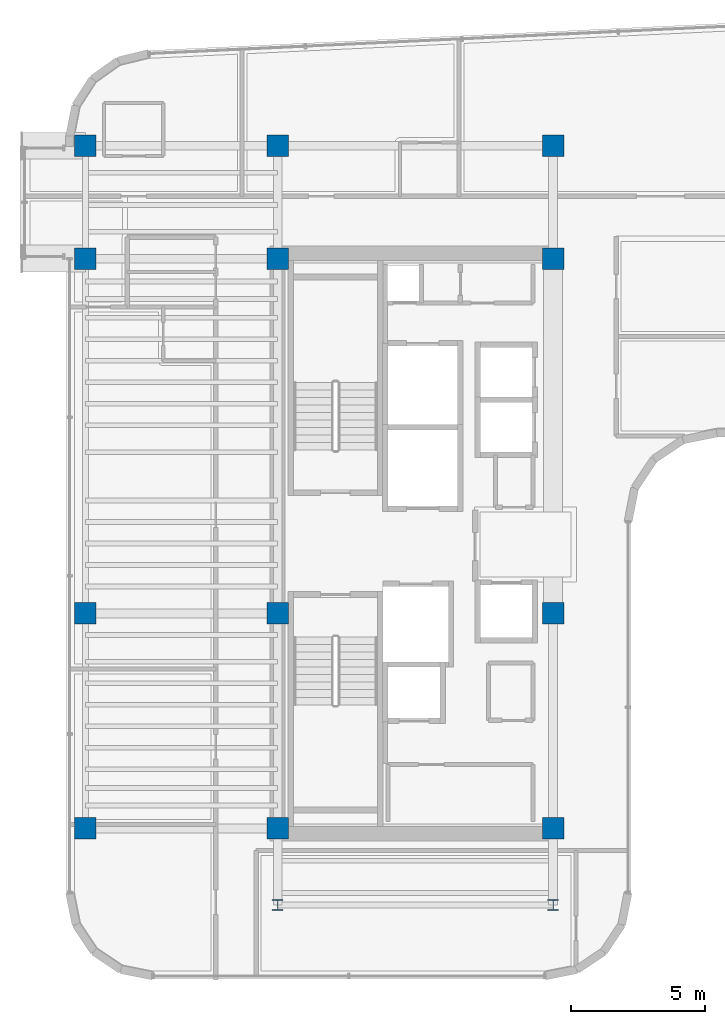
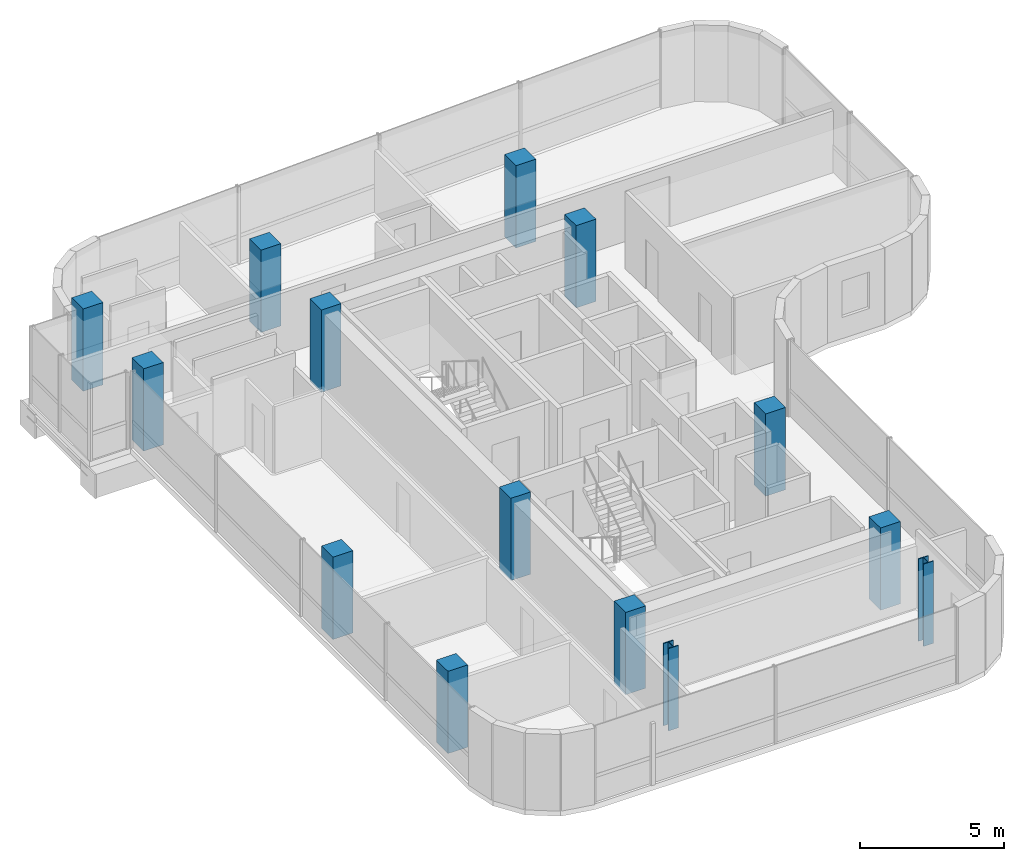
# One storey, part 1 of 20: 14 columns.
"""IFC4 building model written with IfcOpenShell, lengths in metres."""

import ifcopenshell
import ifcopenshell.guid

model = None  # the IFC model being written
_history = None  # IfcOwnerHistory: only IFC2X3 demands one
_inside = {}  # id of a spatial element -> (the spatial element, [elements in it])
_under = {}  # id of a project, library or spatial element -> (it, [spatial elements below it])
_declared = {}  # id of a project -> (the project, [libraries it declares])
_typed = {}  # id of a type object -> (the type object, [elements of that type])
_made_of = {}  # id of a material, layer set ... -> (it, [elements and type objects made of it])


def new_model(schema):
    """Start an empty IFC model of exactly this schema.

    Asked for "IFC4X3", IfcOpenShell would pick the latest addendum, in which some entities
    have other attributes; the version numbers below select the first issue.
    IFC2X3 requires an IfcOwnerHistory on every rooted entity: one is made here for all.
    """
    global model, _history
    if schema == "IFC4X3":
        model = ifcopenshell.file(schema_version=(4, 3, 0, 0))
    else:
        model = ifcopenshell.file(schema=schema)
    _inside.clear()
    _under.clear()
    _declared.clear()
    _typed.clear()
    _made_of.clear()
    _history = None
    if model.schema == "IFC2X3":
        org = make("IfcOrganization", Name="unknown")
        user = make(
            "IfcPersonAndOrganization",
            ThePerson=make("IfcPerson", FamilyName="unknown"),
            TheOrganization=org,
        )
        app = make(
            "IfcApplication",
            ApplicationDeveloper=org,
            Version="unknown",
            ApplicationFullName="unknown",
            ApplicationIdentifier="unknown",
        )
        _history = make(
            "IfcOwnerHistory",
            OwningUser=user,
            OwningApplication=app,
            ChangeAction="ADDED",
            CreationDate=0,
        )
    return model


def make(cls, **values):
    """One entity of the class cls with the attributes given. An attribute that is None is left unset."""
    return model.create_entity(
        cls, **{name: value for name, value in values.items() if value is not None}
    )


def rooted(cls, **values):
    """An entity with a GlobalId (a new one), such as an element, a storey or a relation."""
    return make(cls, GlobalId=ifcopenshell.guid.new(), OwnerHistory=_history, **values)


def si_unit(unit_type, name, prefix=None):
    """IfcSIUnit, for example si_unit("LENGTHUNIT", "METRE", prefix="MILLI")."""
    return make("IfcSIUnit", UnitType=unit_type, Prefix=prefix, Name=name)


def assignment(units):
    """IfcUnitAssignment: the units of a project."""
    return None if units is None else make("IfcUnitAssignment", Units=units)


def point(xyz):
    """IfcCartesianPoint."""
    return None if xyz is None else make("IfcCartesianPoint", Coordinates=xyz)


def direction(xyz):
    """IfcDirection."""
    return None if xyz is None else make("IfcDirection", DirectionRatios=xyz)


def frame(location, z_axis=None, x_axis=None):
    """IfcAxis2Placement3D, a coordinate frame: its origin and axes. An axis left out is left unset."""
    return make(
        "IfcAxis2Placement3D",
        Location=point(location),
        Axis=direction(z_axis),
        RefDirection=direction(x_axis),
    )


def frame_2d(location, x_axis=None):
    """IfcAxis2Placement2D, a coordinate frame in the plane: its origin and x axis."""
    return make(
        "IfcAxis2Placement2D", Location=point(location), RefDirection=direction(x_axis)
    )


def origin():
    """The frame at (0, 0, 0) with its axes left unset."""
    return frame((0.0, 0.0, 0.0))


def origin_2d():
    """The frame at (0, 0) in the plane with its x axis left unset."""
    return frame_2d((0.0, 0.0))


def place(relative_to, where):
    """IfcLocalPlacement: puts the frame where relative to a parent placement (None: the world)."""
    return make(
        "IfcLocalPlacement", PlacementRelTo=relative_to, RelativePlacement=where
    )


def context(
    kind, dimensions, precision=None, world=None, true_north=None, identifier=None
):
    """IfcGeometricRepresentationContext, for example the 3D "Model" context."""
    return make(
        "IfcGeometricRepresentationContext",
        ContextIdentifier=identifier,
        ContextType=kind,
        CoordinateSpaceDimension=dimensions,
        Precision=precision,
        WorldCoordinateSystem=world,
        TrueNorth=true_north,
    )


def subcontext(parent, identifier, kind, view, scale=None):
    """IfcGeometricRepresentationSubContext, for example "Body" below "Model"."""
    return make(
        "IfcGeometricRepresentationSubContext",
        ContextIdentifier=identifier,
        ContextType=kind,
        ParentContext=parent,
        TargetScale=scale,
        TargetView=view,
    )


def project(units=None, contexts=None):
    """IfcProject with its units and contexts."""
    return rooted(
        "IfcProject",
        Name="project",
        RepresentationContexts=contexts,
        UnitsInContext=assignment(units),
    )


def spatial(cls, under=None, at=None, **own):
    """A site, building, storey or space (cls), placed at a placement, below another one or the project."""
    s = rooted(cls, ObjectPlacement=at, **own)
    if under is not None:
        _under.setdefault(under.id(), (under, []))[1].append(s)
    return s


def profile(cls, at=None, kind="AREA", **sizes):
    """A parametric profile (cls). Its sizes go by their IFC names, for example OverallWidth=200.0."""
    return make(cls, ProfileType=kind, Position=at, **sizes)


def rectangle(**sizes):
    """IfcRectangleProfileDef."""
    return profile("IfcRectangleProfileDef", **sizes)


def i_section(**sizes):
    """IfcIShapeProfileDef."""
    return profile("IfcIShapeProfileDef", **sizes)


def extrude(swept, where, along, depth):
    """IfcExtrudedAreaSolid: the profile swept, set in the frame where, extruded along a direction by depth."""
    return make(
        "IfcExtrudedAreaSolid",
        SweptArea=swept,
        Position=where,
        ExtrudedDirection=direction(along),
        Depth=depth,
    )


def shape(context_of_items, identifier, shape_type, items):
    """IfcShapeRepresentation: the items that make up one representation, for example the "Body"."""
    return make(
        "IfcShapeRepresentation",
        ContextOfItems=context_of_items,
        RepresentationIdentifier=identifier,
        RepresentationType=shape_type,
        Items=items,
    )


def source(mapping_origin, context_of_items, identifier, shape_type, items):
    """IfcRepresentationMap: a shape defined once, which mapped items show again and again."""
    return make(
        "IfcRepresentationMap",
        MappingOrigin=mapping_origin,
        MappedRepresentation=shape(context_of_items, identifier, shape_type, items),
    )


def transform(
    local_origin,
    x_axis=None,
    y_axis=None,
    z_axis=None,
    scale=None,
    scale2=None,
    scale3=None,
    uniform=True,
):
    """IfcCartesianTransformationOperator3D, or its non-uniform kind. x_axis, y_axis, z_axis: its Axis1, 2, 3."""
    if uniform:
        return make(
            "IfcCartesianTransformationOperator3D",
            Axis1=direction(x_axis),
            Axis2=direction(y_axis),
            LocalOrigin=point(local_origin),
            Scale=scale,
            Axis3=direction(z_axis),
        )
    return make(
        "IfcCartesianTransformationOperator3DnonUniform",
        Axis1=direction(x_axis),
        Axis2=direction(y_axis),
        LocalOrigin=point(local_origin),
        Scale=scale,
        Axis3=direction(z_axis),
        Scale2=scale2,
        Scale3=scale3,
    )


def mapped(mapping_source, mapping_target):
    """IfcMappedItem: shows the shape of a source again, moved by a transform."""
    return make(
        "IfcMappedItem", MappingSource=mapping_source, MappingTarget=mapping_target
    )


def material(Name=None, Category=None):
    """IfcMaterial."""
    return make("IfcMaterial", Name=Name, Category=Category)


def material_profile(
    of_material, cross_section, Name=None, Category=None, Priority=None
):
    """IfcMaterialProfile: a cross section and its material."""
    return make(
        "IfcMaterialProfile",
        Name=Name,
        Material=of_material,
        Profile=cross_section,
        Priority=Priority,
        Category=Category,
    )


def profile_set(profiles, Name=None, composite=None):
    """IfcMaterialProfileSet."""
    return make(
        "IfcMaterialProfileSet",
        Name=Name,
        MaterialProfiles=profiles,
        CompositeProfile=composite,
    )


def made_of(thing, what):
    """Note that an element or type object is made of a material, layer set ...; save() writes the relation."""
    if what is not None:
        _made_of.setdefault(what.id(), (what, []))[1].append(thing)
    return thing


def type_object(cls, material=None, **own):
    """A type object (cls), such as IfcWallType, which elements share."""
    return made_of(rooted(cls, **own), material)


def element(
    cls,
    number,
    at=None,
    inside=None,
    cuts=None,
    type_object=None,
    material=None,
    context=None,
    identifier="Body",
    shape_type=None,
    held_by="IfcProductDefinitionShape",
    body=None,
    shapes=None,
    **own,
):
    """One element of the class cls, such as IfcWall. Its Tag is "e" and its number.

    at: its placement. inside: the storey or other place that contains it. cuts: it is an
    opening in that element (IfcRelVoidsElement). A single representation is given by context,
    identifier, shape_type and body (its items); several are given by shapes. held_by: the class
    of the entity that holds the representations. save() writes the other relations.
    """
    e = rooted(cls, Tag="e%d" % number, ObjectPlacement=at, **own)
    if body is not None:
        shapes = [shape(context, identifier, shape_type, body)]
    if shapes is not None:
        e.Representation = make(held_by, Representations=shapes)
    if inside is not None:
        _inside.setdefault(inside.id(), (inside, []))[1].append(e)
    if cuts is not None:
        rooted(
            "IfcRelVoidsElement", RelatingBuildingElement=cuts, RelatedOpeningElement=e
        )
    if type_object is not None:
        _typed.setdefault(type_object.id(), (type_object, []))[1].append(e)
    return made_of(e, material)


def aggregate(whole, parts):
    """IfcRelAggregates: a whole, such as a stair, and the parts it consists of."""
    return rooted("IfcRelAggregates", RelatingObject=whole, RelatedObjects=parts)


def save(model, path):
    """Write the relations noted so far, then the file.

    IfcRelAggregates (storeys below a building ...), IfcRelContainedInSpatialStructure (elements
    in a storey), IfcRelDefinesByType, IfcRelAssociatesMaterial and IfcRelDeclares: one each for
    every whole, place, type object, material and project.
    """
    for whole, parts in _under.values():
        aggregate(whole, parts)
    for where, things in _inside.values():
        rooted(
            "IfcRelContainedInSpatialStructure",
            RelatedElements=things,
            RelatingStructure=where,
        )
    for kind, things in _typed.values():
        rooted("IfcRelDefinesByType", RelatedObjects=things, RelatingType=kind)
    for what, things in _made_of.values():
        rooted("IfcRelAssociatesMaterial", RelatedObjects=things, RelatingMaterial=what)
    for by, libraries in _declared.values():
        rooted("IfcRelDeclares", RelatingContext=by, RelatedDefinitions=libraries)
    model.write(path)


model = new_model("IFC4")

# Units and contexts
model_context = context("Model", 3, precision=1e-05, world=origin(), true_north=direction((0.0, 1.0)))
body_context = subcontext(model_context, "Body", "Model", "MODEL_VIEW")
ifc_project = project(units=[si_unit("LENGTHUNIT", "METRE"), si_unit("AREAUNIT", "SQUARE_METRE"), si_unit("VOLUMEUNIT", "CUBIC_METRE"), si_unit("PLANEANGLEUNIT", "RADIAN"), si_unit("MASSUNIT", "GRAM", prefix="KILO")], contexts=[model_context])

# Site, building, storey
site_placement = place(None, origin())
site = spatial("IfcSite", under=ifc_project, at=site_placement, CompositionType="ELEMENT")
building_placement = place(site_placement, origin())
building = spatial("IfcBuilding", under=site, at=building_placement, Name="Valdorenza Pilgrim Sanctuary Tower", CompositionType="ELEMENT")
storey_placement = place(building_placement, frame((0.0, 0.0, 283.5)))
storey = spatial("IfcBuildingStorey", under=building, at=storey_placement, Name="L74", CompositionType="ELEMENT", Elevation=283.5)

# Columns
ifc_material_1 = material(Name="Concrete C50/60", Category="concrete")
ifc_material_profile_1 = material_profile(ifc_material_1, rectangle(XDim=0.800048828125, YDim=0.800048828125, at=origin_2d()), Name="RC 800x800")
ifc_profile_set_1 = profile_set([ifc_material_profile_1], Name="Concrete C50/60")
column_type_1 = type_object("IfcColumnType", Name="COL-Z4B-800", PredefinedType="COLUMN", material=ifc_profile_set_1)
shared_shape_1 = source(origin(), body_context, "Body", "SweptSolid", [
    extrude(rectangle(XDim=0.800048828125, YDim=0.800048828125, at=origin_2d()), origin(), (0.0, 0.0, 1.0), 3.5),
])
for number, where, z_axis, x_axis, name in (
    (1, (-29.800048828125, -10.60009765625, 0.0), (0.0, 0.0, 1.0), (1.0, 0.0, 0.0), "L74 Perimeter Column WA-W-S1"),
    (2, (-22.64990234375, -10.60009765625, 0.0), (0.0, 0.0, 1.0), (1.0, 0.0, 0.0), "L74 Column CA-W-S1"),
    (3, (-12.39990234375, -10.60009765625, 0.0), (0.0, 0.0, 1.0), (1.0, 0.0, 0.0), "L74 Column CA-E-S1"),
    (4, (-29.800048828125, -2.60009765625, 0.0), (0.0, 0.0, 1.0), (1.0, 0.0, 0.0), "L74 Perimeter Column WA-W-M0"),
    (5, (-22.64990234375, -2.60009765625, 0.0), (0.0, 0.0, 1.0), (1.0, 0.0, 0.0), "L74 Column CA-W-M0"),
    (6, (-12.39990234375, -2.60009765625, 0.0), (0.0, 0.0, 1.0), (1.0, 0.0, 0.0), "L74 Column CA-E-M0"),
    (7, (-29.800048828125, 10.60009765625, 0.0), (0.0, 0.0, 1.0), (1.0, 0.0, 0.0), "L74 Perimeter Column WA-W-N1"),
    (8, (-22.64990234375, 10.60009765625, 0.0), (0.0, 0.0, 1.0), (1.0, 0.0, 0.0), "L74 Column CA-W-N1"),
    (9, (-12.39990234375, 10.60009765625, 0.0), (0.0, 0.0, 1.0), (1.0, 0.0, 0.0), "L74 Column CA-E-N1"),
    (10, (-29.800048828125, 14.800048828125, 0.0), (0.0, 0.0, 1.0), (1.0, 0.0, 0.0), "L74 Perimeter Column WA-W-N2"),
    (11, (-22.64990234375, 14.800048828125, 0.0), (0.0, 0.0, 1.0), (1.0, 0.0, 0.0), "L74 Column CA-W-N2"),
    (12, (-12.39990234375, 14.800048828125, 0.0), (0.0, 0.0, 1.0), (1.0, 0.0, 0.0), "L74 Column CA-E-N2"),
):
    element("IfcColumn", number, at=place(storey_placement, frame(where, z_axis=z_axis, x_axis=x_axis)), inside=storey, type_object=column_type_1, Name=name, PredefinedType="COLUMN", context=body_context, shape_type="MappedRepresentation", body=[
        mapped(shared_shape_1, transform((0.0, 0.0, 0.0), x_axis=(1.0, 0.0, 0.0), y_axis=(0.0, 1.0, 0.0), z_axis=(0.0, 0.0, 1.0), scale=1.0)),
    ])
ifc_material_2 = material(Name="Steel ASTM A992 Grade 50", Category="steel")
ifc_material_profile_2 = material_profile(ifc_material_2, i_section(OverallWidth=0.40087890625, OverallDepth=0.39892578125, WebThickness=0.02490234375, FlangeThickness=0.03955078125, at=origin_2d()), Name="W14X211")
ifc_profile_set_2 = profile_set([ifc_material_profile_2], Name="Steel ASTM A992 Grade 50")
column_type_2 = type_object("IfcColumnType", Name="COL-STL-W211", PredefinedType="COLUMN", material=ifc_profile_set_2)
shared_shape_2 = source(origin(), body_context, "Body", "SweptSolid", [
    extrude(i_section(OverallWidth=0.40087890625, OverallDepth=0.39892578125, WebThickness=0.02490234375, FlangeThickness=0.03955078125, at=origin_2d()), origin(), (0.0, 0.0, 1.0), 3.5),
])
for number, where, z_axis, x_axis, name in (
    (13, (-22.64990234375, -13.449951171875, 0.0), (0.0, 0.0, 1.0), (1.0, 0.0, 0.0), "L74 Column WA-S-W"),
    (14, (-12.39990234375, -13.449951171875, 0.0), (0.0, 0.0, 1.0), (1.0, 0.0, 0.0), "L74 Column WA-S-E"),
):
    element("IfcColumn", number, at=place(storey_placement, frame(where, z_axis=z_axis, x_axis=x_axis)), inside=storey, type_object=column_type_2, Name=name, PredefinedType="COLUMN", context=body_context, shape_type="MappedRepresentation", body=[
        mapped(shared_shape_2, transform((0.0, 0.0, 0.0), x_axis=(1.0, 0.0, 0.0), y_axis=(0.0, 1.0, 0.0), z_axis=(0.0, 0.0, 1.0), scale=1.0)),
    ])

save(model, "model.ifc")
